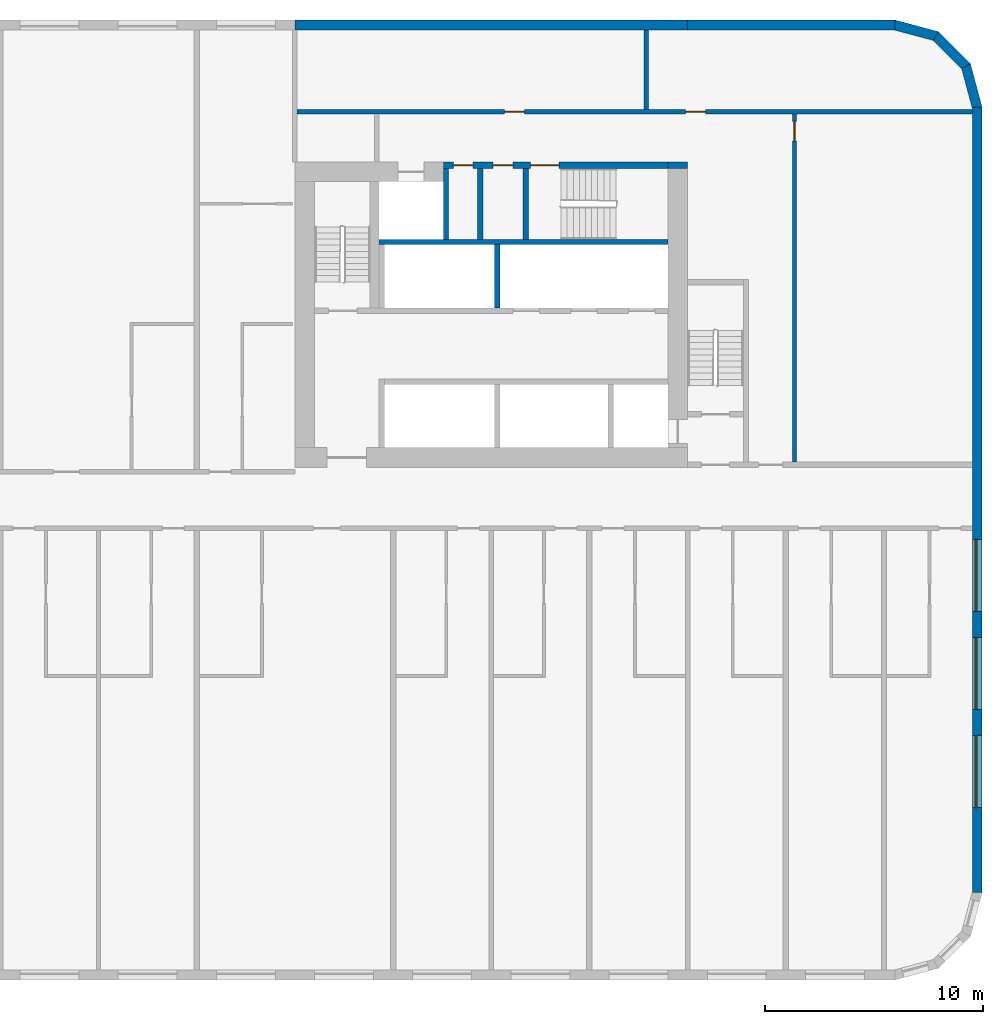
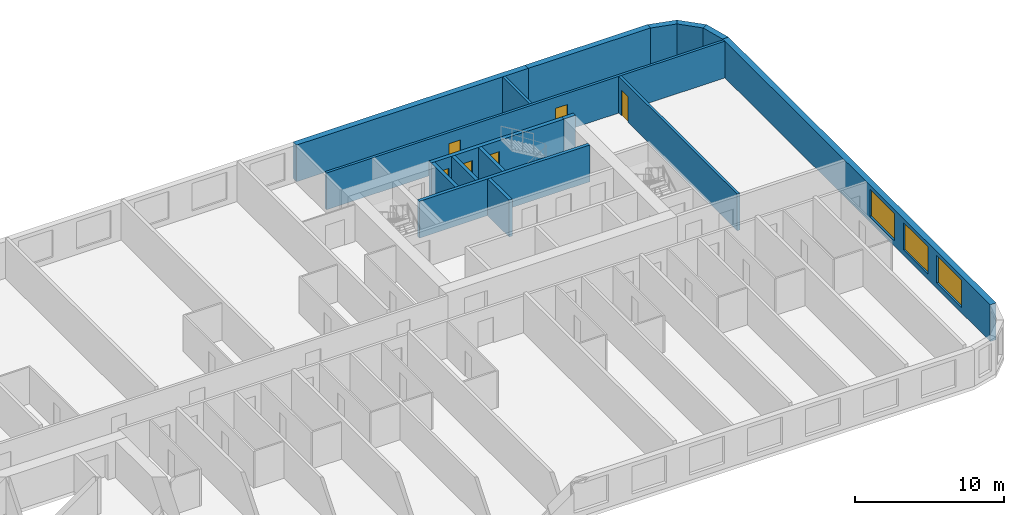
# One storey, part 8 of 12: 16 walls, 6 doors, 3 windows, 9 openings.
"""IFC4 building model written with IfcOpenShell, lengths in metres."""

from ifc_helpers import new_model, si_unit, direction, frame, frame_2d, origin, place, context, subcontext, project, spatial, polyline, rectangle, outline, extrude, material, layer, layer_set, type_object, element, fill, save


model = new_model("IFC4")

# Units and contexts
model_context = context("Model", 3, precision=1e-05, world=origin(), true_north=direction((0.0, 1.0)))
body_context = subcontext(model_context, "Body", "Model", "MODEL_VIEW")
ifc_project = project(units=[si_unit("LENGTHUNIT", "METRE"), si_unit("AREAUNIT", "SQUARE_METRE"), si_unit("VOLUMEUNIT", "CUBIC_METRE"), si_unit("PLANEANGLEUNIT", "RADIAN"), si_unit("MASSUNIT", "GRAM", prefix="KILO")], contexts=[model_context])

# Site, building, storey
site_placement = place(None, origin())
site = spatial("IfcSite", under=ifc_project, at=site_placement, CompositionType="ELEMENT")
building_placement = place(site_placement, origin())
building = spatial("IfcBuilding", under=site, at=building_placement, Name="Kajstack Hotel Tower", CompositionType="ELEMENT")
storey_placement = place(building_placement, frame((0.0, 0.0, 86.39990234375)))
storey = spatial("IfcBuildingStorey", under=building, at=storey_placement, Name="L17", CompositionType="ELEMENT", Elevation=86.39990234375)

# Walls
ifc_material_1 = material(Name="Concrete C60/75", Category="concrete")
ifc_layer_1 = layer(ifc_material_1, 0.89990234375)
ifc_layer_set_1 = layer_set([ifc_layer_1], Name="Core wall 900")
wall_type_1 = type_object("IfcWallType", Name="Core wall 900", PredefinedType="SHEAR", material=ifc_layer_set_1)
wall_1_placement = place(storey_placement, frame((30.60009765625, 15.35009765625, 0.0), z_axis=(0.0, 0.0, 1.0), x_axis=(1.0, 0.0, 0.0)))
element("IfcWall", 1, at=wall_1_placement, inside=storey, type_object=wall_type_1, Name="Core wall E RSW", PredefinedType="SHEAR", context=body_context, shape_type="SweptSolid", body=[
    extrude(rectangle(XDim=0.89990234375, YDim=0.300048828125, at=frame_2d((0.449951171875, 0.0))), origin(), (0.0, 0.0, 1.0), 3.02001953125),
])
ifc_material_2 = material(Name="Concrete C40/50", Category="concrete")
ifc_layer_2 = layer(ifc_material_2, 0.449951171875)
ifc_layer_set_2 = layer_set([ifc_layer_2], Name="EW-CORE")
wall_type_2 = type_object("IfcWallType", Name="EW-CORE", PredefinedType="SOLIDWALL", material=ifc_layer_set_2)
wall_2_placement = place(storey_placement, frame((31.5, 21.77490234375, 0.0), z_axis=(0.0, 0.0, 1.0), x_axis=(-1.0, 0.0, 0.0)))
element("IfcWall", 2, at=wall_2_placement, inside=storey, type_object=wall_type_2, Name="E-wall-L17-11-01", PredefinedType="SOLIDWALL", context=body_context, shape_type="SweptSolid", body=[
    extrude(rectangle(XDim=18.0, YDim=0.449951171875, at=frame_2d((9.0, 0.0))), origin(), (0.0, 0.0, 1.0), 3.02001953125),
])

# Wall, openings, windows
ifc_material_3 = material(Name="Terracotta-faced brick masonry", Category="masonry")
ifc_layer_3 = layer(ifc_material_3, 0.449951171875)
ifc_layer_set_3 = layer_set([ifc_layer_3], Name="EW-TERRA")
wall_type_3 = type_object("IfcWallType", Name="EW-TERRA", PredefinedType="SOLIDWALL", material=ifc_layer_set_3)
wall_3_placement = place(storey_placement, frame((44.77490234375, -18.0, 0.0), z_axis=(0.0, 0.0, 1.0), x_axis=(0.0, 1.0, 0.0)))
wall_3 = element("IfcWall", 3, at=wall_3_placement, inside=storey, type_object=wall_type_3, Name="E-wall-L17-07-00", PredefinedType="SOLIDWALL", context=body_context, shape_type="SweptSolid", body=[
    extrude(rectangle(XDim=36.0, YDim=0.449951171875, at=frame_2d((18.0, 0.0))), origin(), (0.0, 0.0, 1.0), 3.02001953125),
])
opening_1_placement = place(wall_3_placement, frame((3.89990234375, 0.0, 0.449951171875)))
opening_1 = element("IfcOpeningElement", 4, at=opening_1_placement, cuts=wall_3, Name="Opening W2", PredefinedType="OPENING", context=body_context, shape_type="SweptSolid", body=[
    extrude(rectangle(XDim=3.300048828125, YDim=2.25, at=frame_2d((1.64990234375, 1.125))), frame((0.0, 0.23486328125, 0.0), z_axis=(0.0, -1.0, 0.0), x_axis=(1.0, 0.0, 0.0)), (0.0, 0.0, 1.0), 0.469970703125),
])
opening_2_placement = place(wall_3_placement, frame((8.39990234375, 0.0, 0.449951171875)))
opening_2 = element("IfcOpeningElement", 5, at=opening_2_placement, cuts=wall_3, Name="Opening W2", PredefinedType="OPENING", context=body_context, shape_type="SweptSolid", body=[
    extrude(rectangle(XDim=3.300048828125, YDim=2.25, at=frame_2d((1.64990234375, 1.125))), frame((0.0, 0.23486328125, 0.0), z_axis=(0.0, -1.0, 0.0), x_axis=(1.0, 0.0, 0.0)), (0.0, 0.0, 1.0), 0.469970703125),
])
opening_3_placement = place(wall_3_placement, frame((12.89990234375, 0.0, 0.449951171875)))
opening_3 = element("IfcOpeningElement", 6, at=opening_3_placement, cuts=wall_3, Name="Opening W2", PredefinedType="OPENING", context=body_context, shape_type="SweptSolid", body=[
    extrude(rectangle(XDim=3.300048828125, YDim=2.25, at=frame_2d((1.64990234375, 1.125))), frame((0.0, 0.23486328125, 0.0), z_axis=(0.0, -1.0, 0.0), x_axis=(1.0, 0.0, 0.0)), (0.0, 0.0, 1.0), 0.469970703125),
])
ifc_material_4 = material(Name="Timber-aluminium window, triple glazed", Category="wood")
window_type = type_object("IfcWindowType", Name="WG2", PartitioningType="SINGLE_PANEL", PredefinedType="WINDOW", material=ifc_material_4)
window_1_placement = place(opening_1_placement, origin())
window_1 = element("IfcWindow", 7, at=window_1_placement, inside=storey, type_object=window_type, Name="Window W2 L17-07", OverallHeight=2.25, OverallWidth=3.300048828125, PartitioningType="SINGLE_PANEL", PredefinedType="WINDOW", context=body_context, shape_type="SweptSolid", body=[
    extrude(rectangle(XDim=3.300048828125, YDim=2.25, at=frame_2d((1.64990234375, 1.125))), frame((0.0, 0.090087890625, 0.0), z_axis=(0.0, -1.0, 0.0), x_axis=(1.0, 0.0, 0.0)), (0.0, 0.0, 1.0), 0.06005859375),
])
fill(opening_1, window_1)
window_2_placement = place(opening_2_placement, origin())
window_2 = element("IfcWindow", 8, at=window_2_placement, inside=storey, type_object=window_type, Name="Window W2 L17-07", OverallHeight=2.25, OverallWidth=3.300048828125, PartitioningType="SINGLE_PANEL", PredefinedType="WINDOW", context=body_context, shape_type="SweptSolid", body=[
    extrude(rectangle(XDim=3.300048828125, YDim=2.25, at=frame_2d((1.64990234375, 1.125))), frame((0.0, 0.090087890625, 0.0), z_axis=(0.0, -1.0, 0.0), x_axis=(1.0, 0.0, 0.0)), (0.0, 0.0, 1.0), 0.06005859375),
])
fill(opening_2, window_2)
window_3_placement = place(opening_3_placement, origin())
window_3 = element("IfcWindow", 9, at=window_3_placement, inside=storey, type_object=window_type, Name="Window W2 L17-07", OverallHeight=2.25, OverallWidth=3.300048828125, PartitioningType="SINGLE_PANEL", PredefinedType="WINDOW", context=body_context, shape_type="SweptSolid", body=[
    extrude(rectangle(XDim=3.300048828125, YDim=2.25, at=frame_2d((1.64990234375, 1.125))), frame((0.0, 0.090087890625, 0.0), z_axis=(0.0, -1.0, 0.0), x_axis=(1.0, 0.0, 0.0)), (0.0, 0.0, 1.0), 0.06005859375),
])
fill(opening_3, window_3)

# Walls
wall_4_placement = place(storey_placement, frame((44.78271484375, 17.941650390625, 0.0), z_axis=(0.0, 0.0, 1.0), x_axis=(-0.25881466832, 0.965926999034, 0.0)))
element("IfcWall", 10, at=wall_4_placement, inside=storey, type_object=wall_type_3, Name="E-wall-L17-08-00", PredefinedType="SOLIDWALL", context=body_context, shape_type="SweptSolid", body=[
    extrude(outline(polyline([(0.000244140625, -0.22509765625), (2.070556640625, -0.224853515625), (1.9501953125, 0.22509765625), (0.12060546875, 0.22509765625), (0.000244140625, -0.22509765625)])), origin(), (0.0, 0.0, 1.0), 3.02001953125),
])
wall_5_placement = place(storey_placement, frame((44.304931640625, 19.8408203125, 0.0), z_axis=(0.0, 0.0, 1.0), x_axis=(-0.707106781187, 0.707106781187, 0.0)))
element("IfcWall", 11, at=wall_5_placement, inside=storey, type_object=wall_type_3, Name="E-wall-L17-09-00", PredefinedType="SOLIDWALL", context=body_context, shape_type="SweptSolid", body=[
    extrude(outline(polyline([(0.0, -0.22509765625), (2.070556640625, -0.22509765625), (1.949951171875, 0.224853515625), (0.12060546875, 0.224853515625), (0.0, -0.22509765625)])), origin(), (0.0, 0.0, 1.0), 3.02001953125),
])
wall_6_placement = place(storey_placement, frame((42.941650390625, 21.246826171875, 0.0), z_axis=(0.0, 0.0, 1.0), x_axis=(-0.965926999034, 0.25881466832, 0.0)))
element("IfcWall", 12, at=wall_6_placement, inside=storey, type_object=wall_type_3, Name="E-wall-L17-10-00", PredefinedType="SOLIDWALL", context=body_context, shape_type="SweptSolid", body=[
    extrude(outline(polyline([(-0.000244140625, -0.224853515625), (2.0703125, -0.22509765625), (1.949951171875, 0.22509765625), (0.120361328125, 0.22509765625), (-0.000244140625, -0.224853515625)])), origin(), (0.0, 0.0, 1.0), 3.02001953125),
])
wall_7_placement = place(storey_placement, frame((41.0, 21.77490234375, 0.0), z_axis=(0.0, 0.0, 1.0), x_axis=(-1.0, 0.0, 0.0)))
element("IfcWall", 13, at=wall_7_placement, inside=storey, type_object=wall_type_3, Name="E-wall-L17-11-00", PredefinedType="SOLIDWALL", context=body_context, shape_type="SweptSolid", body=[
    extrude(rectangle(XDim=9.5, YDim=0.449951171875, at=frame_2d((4.75, 0.0))), origin(), (0.0, 0.0, 1.0), 3.02001953125),
])
ifc_material_5 = material(Name="Concrete C50/60", Category="concrete")
ifc_layer_4 = layer(ifc_material_5, 0.300048828125)
ifc_layer_set_4 = layer_set([ifc_layer_4], Name="Hoistway divider wall 300")
wall_type_4 = type_object("IfcWallType", Name="Hoistway divider wall 300", PredefinedType="SHEAR", material=ifc_layer_set_4)
wall_8_placement = place(storey_placement, frame((22.77490234375, 8.800048828125, 0.0), z_axis=(0.0, 0.0, 1.0), x_axis=(0.0, 1.0, 0.0)))
element("IfcWall", 14, at=wall_8_placement, inside=storey, type_object=wall_type_4, Name="Core wall E BP2", PredefinedType="SHEAR", context=body_context, shape_type="SweptSolid", body=[
    extrude(rectangle(XDim=2.89990234375, YDim=0.25, at=frame_2d((1.449951171875, 0.0))), origin(), (0.0, 0.0, 1.0), 3.02001953125),
])
ifc_material_6 = material(Name="Concrete block masonry", Category="masonry")
ifc_layer_5 = layer(ifc_material_6, 0.25)
ifc_layer_set_5 = layer_set([ifc_layer_5], Name="Riser partition 250")
wall_type_5 = type_object("IfcWallType", Name="Riser partition 250", PredefinedType="PARTITIONING", material=ifc_layer_set_5)
wall_9_placement = place(storey_placement, frame((22.0, 11.949951171875, 0.0), z_axis=(0.0, 0.0, 1.0), x_axis=(0.0, 1.0, 0.0)))
element("IfcWall", 15, at=wall_9_placement, inside=storey, type_object=wall_type_5, Name="Partition E SZ0", PredefinedType="PARTITIONING", context=body_context, shape_type="SweptSolid", body=[
    extrude(rectangle(XDim=3.25, YDim=0.25, at=frame_2d((1.625, 0.0))), origin(), (0.0, 0.0, 1.0), 3.02001953125),
])

# Wall, opening, door
ifc_material_7 = material(Name="Gypsum board on steel studs, mineral wool", Category="steel")
ifc_layer_6 = layer(ifc_material_7, 0.199951171875)
ifc_layer_set_6 = layer_set([ifc_layer_6], Name="Service partition 200")
wall_type_6 = type_object("IfcWallType", Name="Service partition 200", PredefinedType="PARTITIONING", material=ifc_layer_set_6)
wall_10_placement = place(storey_placement, frame((36.39990234375, 1.75, 0.0), z_axis=(0.0, 0.0, 1.0), x_axis=(0.0, 1.0, 0.0)))
wall_10 = element("IfcWall", 16, at=wall_10_placement, inside=storey, type_object=wall_type_6, Name="Partition E WRE", PredefinedType="PARTITIONING", context=body_context, shape_type="SweptSolid", body=[
    extrude(rectangle(XDim=15.949951171875, YDim=0.199951171875, at=frame_2d((7.97509765625, 0.0))), origin(), (0.0, 0.0, 1.0), 3.02001953125),
])
opening_4_placement = place(wall_10_placement, frame((14.699951171875, 0.0, 0.0)))
opening_4 = element("IfcOpeningElement", 17, at=opening_4_placement, cuts=wall_10, Name="Opening 17E16", PredefinedType="OPENING", context=body_context, shape_type="SweptSolid", body=[
    extrude(rectangle(XDim=0.89990234375, YDim=2.10009765625, at=frame_2d((0.449951171875, 1.050048828125))), frame((0.0, 0.10986328125, 0.0), z_axis=(0.0, -1.0, 0.0), x_axis=(1.0, 0.0, 0.0)), (0.0, 0.0, 1.0), 0.219970703125),
])
ifc_material_8 = material(Name="Timber leaf, fire-rated", Category="wood")
door_type_1 = type_object("IfcDoorType", Name="Service door 900", OperationType="SINGLE_SWING_LEFT", PredefinedType="DOOR", material=ifc_material_8)
door_1_placement = place(opening_4_placement, origin())
door_1 = element("IfcDoor", 18, at=door_1_placement, inside=storey, type_object=door_type_1, Name="Door 17E16", OperationType="SINGLE_SWING_RIGHT", OverallHeight=2.10009765625, OverallWidth=0.89990234375, PredefinedType="DOOR", context=body_context, shape_type="SweptSolid", body=[
    extrude(rectangle(XDim=0.89990234375, YDim=2.10009765625, at=frame_2d((0.449951171875, 1.050048828125))), frame((0.0, 0.02490234375, 0.0), z_axis=(0.0, -1.0, 0.0), x_axis=(1.0, 0.0, 0.0)), (0.0, 0.0, 1.0), 0.050048828125),
])
fill(opening_4, door_1)

# Wall, openings, doors
wall_11_placement = place(storey_placement, frame((13.60009765625, 17.800048828125, 0.0), z_axis=(0.0, 0.0, 1.0), x_axis=(1.0, 0.0, 0.0)))
wall_11 = element("IfcWall", 19, at=wall_11_placement, inside=storey, type_object=wall_type_6, Name="Partition E SLN", PredefinedType="PARTITIONING", context=body_context, shape_type="SweptSolid", body=[
    extrude(rectangle(XDim=30.949951171875, YDim=0.199951171875, at=frame_2d((15.47509765625, 0.0))), origin(), (0.0, 0.0, 1.0), 3.02001953125),
])
opening_5_placement = place(wall_11_placement, frame((17.8125, 0.0, 0.0)))
opening_5 = element("IfcOpeningElement", 20, at=opening_5_placement, cuts=wall_11, Name="Opening 17E14", PredefinedType="OPENING", context=body_context, shape_type="SweptSolid", body=[
    extrude(rectangle(XDim=0.89990234375, YDim=2.10009765625, at=frame_2d((0.449951171875, 1.050048828125))), frame((0.0, 0.10986328125, 0.0), z_axis=(0.0, -1.0, 0.0), x_axis=(1.0, 0.0, 0.0)), (0.0, 0.0, 1.0), 0.219970703125),
])
opening_6_placement = place(wall_11_placement, frame((9.512451171875, 0.0, 0.0)))
opening_6 = element("IfcOpeningElement", 21, at=opening_6_placement, cuts=wall_11, Name="Opening 17E15", PredefinedType="OPENING", context=body_context, shape_type="SweptSolid", body=[
    extrude(rectangle(XDim=0.89990234375, YDim=2.10009765625, at=frame_2d((0.449951171875, 1.050048828125))), frame((0.0, 0.10986328125, 0.0), z_axis=(0.0, -1.0, 0.0), x_axis=(1.0, 0.0, 0.0)), (0.0, 0.0, 1.0), 0.219970703125),
])
door_2_placement = place(opening_5_placement, origin())
door_2 = element("IfcDoor", 22, at=door_2_placement, inside=storey, type_object=door_type_1, Name="Door 17E14", OperationType="SINGLE_SWING_LEFT", OverallHeight=2.10009765625, OverallWidth=0.89990234375, PredefinedType="DOOR", context=body_context, shape_type="SweptSolid", body=[
    extrude(rectangle(XDim=0.89990234375, YDim=2.10009765625, at=frame_2d((0.449951171875, 1.050048828125))), frame((0.0, 0.02490234375, 0.0), z_axis=(0.0, -1.0, 0.0), x_axis=(1.0, 0.0, 0.0)), (0.0, 0.0, 1.0), 0.050048828125),
])
fill(opening_5, door_2)
door_3_placement = place(opening_6_placement, origin())
door_3 = element("IfcDoor", 23, at=door_3_placement, inside=storey, type_object=door_type_1, Name="Door 17E15", OperationType="SINGLE_SWING_LEFT", OverallHeight=2.10009765625, OverallWidth=0.89990234375, PredefinedType="DOOR", context=body_context, shape_type="SweptSolid", body=[
    extrude(rectangle(XDim=0.89990234375, YDim=2.10009765625, at=frame_2d((0.449951171875, 1.050048828125))), frame((0.0, 0.02490234375, 0.0), z_axis=(0.0, -1.0, 0.0), x_axis=(1.0, 0.0, 0.0)), (0.0, 0.0, 1.0), 0.050048828125),
])
fill(opening_6, door_3)

# Wall
wall_12_placement = place(storey_placement, frame((29.60009765625, 17.89990234375, 0.0), z_axis=(0.0, 0.0, 1.0), x_axis=(0.0, 1.0, 0.0)))
element("IfcWall", 24, at=wall_12_placement, inside=storey, type_object=wall_type_6, Name="Partition E SLP0", PredefinedType="PARTITIONING", context=body_context, shape_type="SweptSolid", body=[
    extrude(rectangle(XDim=3.650146484375, YDim=0.199951171875, at=frame_2d((1.8251953125, 0.0))), origin(), (0.0, 0.0, 1.0), 3.02001953125),
])

# Wall, openings, doors
ifc_layer_7 = layer(ifc_material_5, 0.25)
ifc_layer_set_7 = layer_set([ifc_layer_7], Name="Shaft wall 250")
wall_type_7 = type_object("IfcWallType", Name="Shaft wall 250", PredefinedType="SHEAR", material=ifc_layer_set_7)
wall_13_placement = place(storey_placement, frame((20.300048828125, 15.35009765625, 0.0), z_axis=(0.0, 0.0, 1.0), x_axis=(1.0, 0.0, 0.0)))
wall_13 = element("IfcWall", 25, at=wall_13_placement, inside=storey, type_object=wall_type_7, Name="Core wall E RSS", PredefinedType="SHEAR", context=body_context, shape_type="SweptSolid", body=[
    extrude(rectangle(XDim=10.300048828125, YDim=0.300048828125, at=frame_2d((5.14990234375, 0.0))), origin(), (0.0, 0.0, 1.0), 3.02001953125),
])
opening_7_placement = place(wall_13_placement, frame((4.0, 0.0, 0.0)))
opening_7 = element("IfcOpeningElement", 26, at=opening_7_placement, cuts=wall_13, Name="Opening 17E11", PredefinedType="OPENING", context=body_context, shape_type="SweptSolid", body=[
    extrude(rectangle(XDim=1.300048828125, YDim=2.10009765625, at=frame_2d((0.64990234375, 1.050048828125))), frame((0.0, 0.159912109375, 0.0), z_axis=(0.0, -1.0, 0.0), x_axis=(1.0, 0.0, 0.0)), (0.0, 0.0, 1.0), 0.320068359375),
])
opening_8_placement = place(wall_13_placement, frame((2.28759765625, 0.0, 0.0)))
opening_8 = element("IfcOpeningElement", 27, at=opening_8_placement, cuts=wall_13, Name="Opening 17E12", PredefinedType="OPENING", context=body_context, shape_type="SweptSolid", body=[
    extrude(rectangle(XDim=0.89990234375, YDim=2.10009765625, at=frame_2d((0.449951171875, 1.050048828125))), frame((0.0, 0.159912109375, 0.0), z_axis=(0.0, -1.0, 0.0), x_axis=(1.0, 0.0, 0.0)), (0.0, 0.0, 1.0), 0.320068359375),
])
opening_9_placement = place(wall_13_placement, frame((0.46240234375, 0.0, 0.0)))
opening_9 = element("IfcOpeningElement", 28, at=opening_9_placement, cuts=wall_13, Name="Opening 17E13", PredefinedType="OPENING", context=body_context, shape_type="SweptSolid", body=[
    extrude(rectangle(XDim=0.89990234375, YDim=2.10009765625, at=frame_2d((0.449951171875, 1.050048828125))), frame((0.0, 0.159912109375, 0.0), z_axis=(0.0, -1.0, 0.0), x_axis=(1.0, 0.0, 0.0)), (0.0, 0.0, 1.0), 0.320068359375),
])
door_4_placement = place(opening_8_placement, origin())
door_4 = element("IfcDoor", 29, at=door_4_placement, inside=storey, type_object=door_type_1, Name="Door 17E12", OperationType="SINGLE_SWING_RIGHT", OverallHeight=2.10009765625, OverallWidth=0.89990234375, PredefinedType="DOOR", context=body_context, shape_type="SweptSolid", body=[
    extrude(rectangle(XDim=0.89990234375, YDim=2.10009765625, at=frame_2d((0.449951171875, 1.050048828125))), frame((0.0, 0.02490234375, 0.0), z_axis=(0.0, -1.0, 0.0), x_axis=(1.0, 0.0, 0.0)), (0.0, 0.0, 1.0), 0.050048828125),
])
fill(opening_8, door_4)
door_5_placement = place(opening_9_placement, origin())
door_5 = element("IfcDoor", 30, at=door_5_placement, inside=storey, type_object=door_type_1, Name="Door 17E13", OperationType="SINGLE_SWING_RIGHT", OverallHeight=2.10009765625, OverallWidth=0.89990234375, PredefinedType="DOOR", context=body_context, shape_type="SweptSolid", body=[
    extrude(rectangle(XDim=0.89990234375, YDim=2.10009765625, at=frame_2d((0.449951171875, 1.050048828125))), frame((0.0, 0.02490234375, 0.0), z_axis=(0.0, -1.0, 0.0), x_axis=(1.0, 0.0, 0.0)), (0.0, 0.0, 1.0), 0.050048828125),
])
fill(opening_9, door_5)
ifc_material_9 = material(Name="Steel leaf, fire-rated", Category="steel")
door_type_2 = type_object("IfcDoorType", Name="Stair door 1300", OperationType="SINGLE_SWING_LEFT", PredefinedType="DOOR", material=ifc_material_9)
door_6_placement = place(opening_7_placement, origin())
door_6 = element("IfcDoor", 31, at=door_6_placement, inside=storey, type_object=door_type_2, Name="Door 17E11", OperationType="SINGLE_SWING_LEFT", OverallHeight=2.10009765625, OverallWidth=1.300048828125, PredefinedType="DOOR", context=body_context, shape_type="SweptSolid", body=[
    extrude(rectangle(XDim=1.300048828125, YDim=2.10009765625, at=frame_2d((0.64990234375, 1.050048828125))), frame((0.0, 0.02490234375, 0.0), z_axis=(0.0, -1.0, 0.0), x_axis=(1.0, 0.0, 0.0)), (0.0, 0.0, 1.0), 0.050048828125),
])
fill(opening_7, door_6)

# Walls
wall_14_placement = place(storey_placement, frame((17.35009765625, 11.824951171875, 0.0), z_axis=(0.0, 0.0, 1.0), x_axis=(1.0, 0.0, 0.0)))
element("IfcWall", 32, at=wall_14_placement, inside=storey, type_object=wall_type_7, Name="Core wall E RB", PredefinedType="SHEAR", context=body_context, shape_type="SweptSolid", body=[
    extrude(rectangle(XDim=13.25, YDim=0.25, at=frame_2d((6.625, 0.0))), origin(), (0.0, 0.0, 1.0), 3.02001953125),
])
wall_15_placement = place(storey_placement, frame((20.425048828125, 11.949951171875, 0.0), z_axis=(0.0, 0.0, 1.0), x_axis=(0.0, 1.0, 0.0)))
element("IfcWall", 33, at=wall_15_placement, inside=storey, type_object=wall_type_7, Name="Core wall E SVW", PredefinedType="SHEAR", context=body_context, shape_type="SweptSolid", body=[
    extrude(rectangle(XDim=3.25, YDim=0.25, at=frame_2d((1.625, 0.0))), origin(), (0.0, 0.0, 1.0), 3.02001953125),
])
ifc_layer_8 = layer(ifc_material_5, 0.35009765625)
ifc_layer_set_8 = layer_set([ifc_layer_8], Name="Stair enclosure wall 350")
wall_type_8 = type_object("IfcWallType", Name="Stair enclosure wall 350", PredefinedType="SHEAR", material=ifc_layer_set_8)
wall_16_placement = place(storey_placement, frame((24.074951171875, 11.949951171875, 0.0), z_axis=(0.0, 0.0, 1.0), x_axis=(0.0, 1.0, 0.0)))
element("IfcWall", 34, at=wall_16_placement, inside=storey, type_object=wall_type_8, Name="Core wall E W3E", PredefinedType="SHEAR", context=body_context, shape_type="SweptSolid", body=[
    extrude(rectangle(XDim=3.25, YDim=0.25, at=frame_2d((1.625, 0.0))), origin(), (0.0, 0.0, 1.0), 3.02001953125),
])

save(model, "model.ifc")
